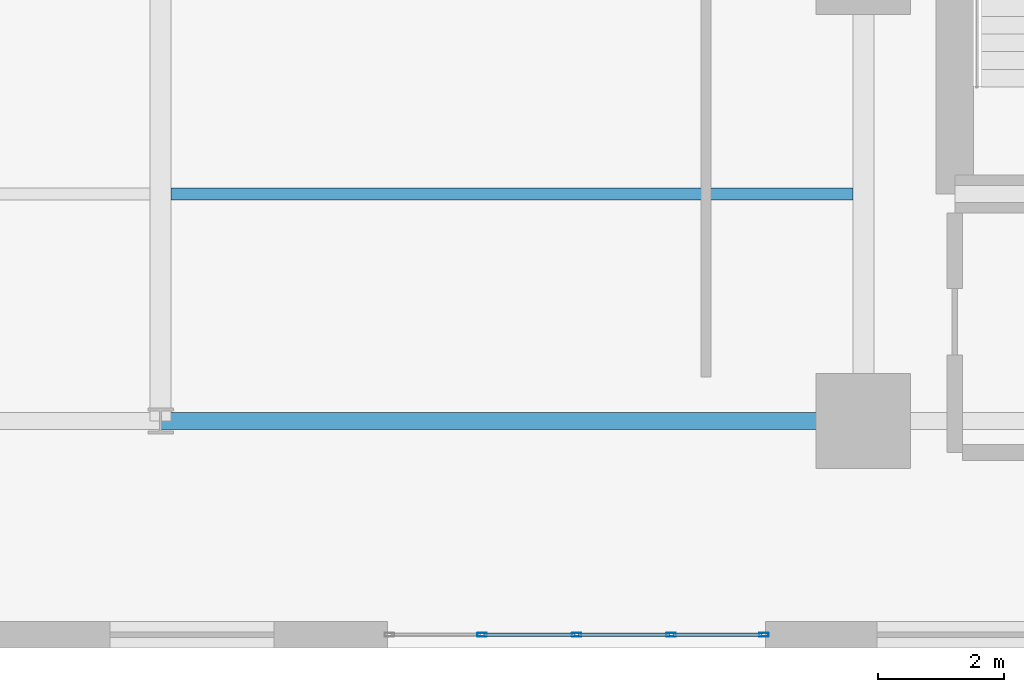
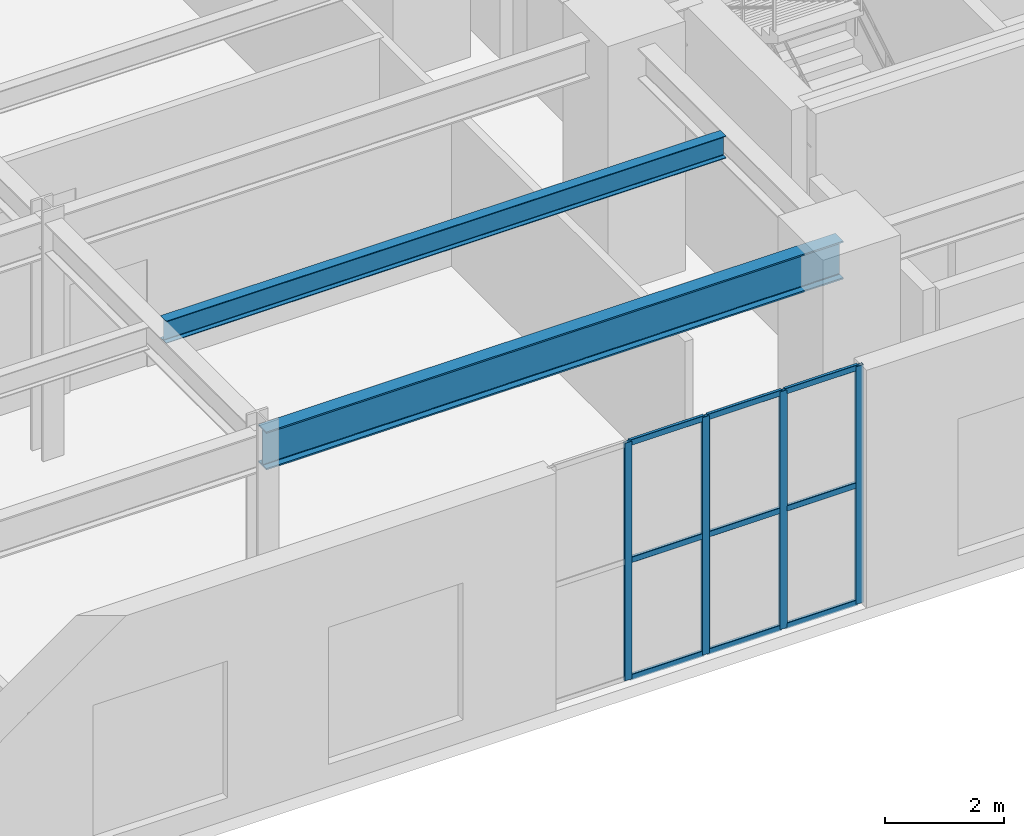
# One storey, part 10 of 23: 13 members, 2 beams, 1 element without a shape of its own.
"""IFC4 building model written with IfcOpenShell, lengths in metres."""

import ifcopenshell
import ifcopenshell.guid

model = None  # the IFC model being written
_history = None  # IfcOwnerHistory: only IFC2X3 demands one
_inside = {}  # id of a spatial element -> (the spatial element, [elements in it])
_under = {}  # id of a project, library or spatial element -> (it, [spatial elements below it])
_declared = {}  # id of a project -> (the project, [libraries it declares])
_typed = {}  # id of a type object -> (the type object, [elements of that type])
_made_of = {}  # id of a material, layer set ... -> (it, [elements and type objects made of it])


def new_model(schema):
    """Start an empty IFC model of exactly this schema.

    Asked for "IFC4X3", IfcOpenShell would pick the latest addendum, in which some entities
    have other attributes; the version numbers below select the first issue.
    IFC2X3 requires an IfcOwnerHistory on every rooted entity: one is made here for all.
    """
    global model, _history
    if schema == "IFC4X3":
        model = ifcopenshell.file(schema_version=(4, 3, 0, 0))
    else:
        model = ifcopenshell.file(schema=schema)
    _inside.clear()
    _under.clear()
    _declared.clear()
    _typed.clear()
    _made_of.clear()
    _history = None
    if model.schema == "IFC2X3":
        org = make("IfcOrganization", Name="unknown")
        user = make(
            "IfcPersonAndOrganization",
            ThePerson=make("IfcPerson", FamilyName="unknown"),
            TheOrganization=org,
        )
        app = make(
            "IfcApplication",
            ApplicationDeveloper=org,
            Version="unknown",
            ApplicationFullName="unknown",
            ApplicationIdentifier="unknown",
        )
        _history = make(
            "IfcOwnerHistory",
            OwningUser=user,
            OwningApplication=app,
            ChangeAction="ADDED",
            CreationDate=0,
        )
    return model


def make(cls, **values):
    """One entity of the class cls with the attributes given. An attribute that is None is left unset."""
    return model.create_entity(
        cls, **{name: value for name, value in values.items() if value is not None}
    )


def entity(cls, *values):
    """Any entity or typed value of the class cls, its attributes in the order of the schema. None: left unset."""
    e = model.create_entity(cls)
    for i, value in enumerate(values):
        if value is not None:
            e[i] = value
    return e


def rooted(cls, **values):
    """An entity with a GlobalId (a new one), such as an element, a storey or a relation."""
    return make(cls, GlobalId=ifcopenshell.guid.new(), OwnerHistory=_history, **values)


def si_unit(unit_type, name, prefix=None):
    """IfcSIUnit, for example si_unit("LENGTHUNIT", "METRE", prefix="MILLI")."""
    return make("IfcSIUnit", UnitType=unit_type, Prefix=prefix, Name=name)


def converted_unit(unit_type, name, factor, base, dimensions=None, offset=None):
    """IfcConversionBasedUnit, such as the inch: factor (a typed value) times the base unit."""
    return make(
        "IfcConversionBasedUnit"
        if offset is None
        else "IfcConversionBasedUnitWithOffset",
        ConversionOffset=offset,
        Dimensions=None
        if dimensions is None
        else entity("IfcDimensionalExponents", *dimensions),
        UnitType=unit_type,
        Name=name,
        ConversionFactor=make(
            "IfcMeasureWithUnit", ValueComponent=factor, UnitComponent=base
        ),
    )


def assignment(units):
    """IfcUnitAssignment: the units of a project."""
    return None if units is None else make("IfcUnitAssignment", Units=units)


def point(xyz):
    """IfcCartesianPoint."""
    return None if xyz is None else make("IfcCartesianPoint", Coordinates=xyz)


def direction(xyz):
    """IfcDirection."""
    return None if xyz is None else make("IfcDirection", DirectionRatios=xyz)


def frame(location, z_axis=None, x_axis=None):
    """IfcAxis2Placement3D, a coordinate frame: its origin and axes. An axis left out is left unset."""
    return make(
        "IfcAxis2Placement3D",
        Location=point(location),
        Axis=direction(z_axis),
        RefDirection=direction(x_axis),
    )


def frame_2d(location, x_axis=None):
    """IfcAxis2Placement2D, a coordinate frame in the plane: its origin and x axis."""
    return make(
        "IfcAxis2Placement2D", Location=point(location), RefDirection=direction(x_axis)
    )


def origin_with_axes():
    """The frame at (0, 0, 0) with the z axis (0, 0, 1) and the x axis (1, 0, 0) written out."""
    return frame((0.0, 0.0, 0.0), z_axis=(0.0, 0.0, 1.0), x_axis=(1.0, 0.0, 0.0))


def origin_2d_with_axis():
    """The frame at (0, 0) in the plane with the x axis (1, 0) written out."""
    return frame_2d((0.0, 0.0), x_axis=(1.0, 0.0))


def place(relative_to, where):
    """IfcLocalPlacement: puts the frame where relative to a parent placement (None: the world)."""
    return make(
        "IfcLocalPlacement", PlacementRelTo=relative_to, RelativePlacement=where
    )


def context(
    kind, dimensions, precision=None, world=None, true_north=None, identifier=None
):
    """IfcGeometricRepresentationContext, for example the 3D "Model" context."""
    return make(
        "IfcGeometricRepresentationContext",
        ContextIdentifier=identifier,
        ContextType=kind,
        CoordinateSpaceDimension=dimensions,
        Precision=precision,
        WorldCoordinateSystem=world,
        TrueNorth=true_north,
    )


def subcontext(parent, identifier, kind, view, scale=None):
    """IfcGeometricRepresentationSubContext, for example "Body" below "Model"."""
    return make(
        "IfcGeometricRepresentationSubContext",
        ContextIdentifier=identifier,
        ContextType=kind,
        ParentContext=parent,
        TargetScale=scale,
        TargetView=view,
    )


def project(units=None, contexts=None):
    """IfcProject with its units and contexts."""
    return rooted(
        "IfcProject",
        Name="project",
        RepresentationContexts=contexts,
        UnitsInContext=assignment(units),
    )


def spatial(cls, under=None, at=None, **own):
    """A site, building, storey or space (cls), placed at a placement, below another one or the project."""
    s = rooted(cls, ObjectPlacement=at, **own)
    if under is not None:
        _under.setdefault(under.id(), (under, []))[1].append(s)
    return s


def profile(cls, at=None, kind="AREA", **sizes):
    """A parametric profile (cls). Its sizes go by their IFC names, for example OverallWidth=200.0."""
    return make(cls, ProfileType=kind, Position=at, **sizes)


def hollow_rectangle(**sizes):
    """IfcRectangleHollowProfileDef."""
    return profile("IfcRectangleHollowProfileDef", **sizes)


def i_section(**sizes):
    """IfcIShapeProfileDef."""
    return profile("IfcIShapeProfileDef", **sizes)


def extrude(swept, where, along, depth):
    """IfcExtrudedAreaSolid: the profile swept, set in the frame where, extruded along a direction by depth."""
    return make(
        "IfcExtrudedAreaSolid",
        SweptArea=swept,
        Position=where,
        ExtrudedDirection=direction(along),
        Depth=depth,
    )


def shape(context_of_items, identifier, shape_type, items):
    """IfcShapeRepresentation: the items that make up one representation, for example the "Body"."""
    return make(
        "IfcShapeRepresentation",
        ContextOfItems=context_of_items,
        RepresentationIdentifier=identifier,
        RepresentationType=shape_type,
        Items=items,
    )


def material(Name=None, Category=None):
    """IfcMaterial."""
    return make("IfcMaterial", Name=Name, Category=Category)


def material_profile(
    of_material, cross_section, Name=None, Category=None, Priority=None
):
    """IfcMaterialProfile: a cross section and its material."""
    return make(
        "IfcMaterialProfile",
        Name=Name,
        Material=of_material,
        Profile=cross_section,
        Priority=Priority,
        Category=Category,
    )


def profile_set(profiles, Name=None, composite=None):
    """IfcMaterialProfileSet."""
    return make(
        "IfcMaterialProfileSet",
        Name=Name,
        MaterialProfiles=profiles,
        CompositeProfile=composite,
    )


def made_of(thing, what):
    """Note that an element or type object is made of a material, layer set ...; save() writes the relation."""
    if what is not None:
        _made_of.setdefault(what.id(), (what, []))[1].append(thing)
    return thing


def type_object(cls, material=None, **own):
    """A type object (cls), such as IfcWallType, which elements share."""
    return made_of(rooted(cls, **own), material)


def element(
    cls,
    number,
    at=None,
    inside=None,
    cuts=None,
    type_object=None,
    material=None,
    context=None,
    identifier="Body",
    shape_type=None,
    held_by="IfcProductDefinitionShape",
    body=None,
    shapes=None,
    **own,
):
    """One element of the class cls, such as IfcWall. Its Tag is "e" and its number.

    at: its placement. inside: the storey or other place that contains it. cuts: it is an
    opening in that element (IfcRelVoidsElement). A single representation is given by context,
    identifier, shape_type and body (its items); several are given by shapes. held_by: the class
    of the entity that holds the representations. save() writes the other relations.
    """
    e = rooted(cls, Tag="e%d" % number, ObjectPlacement=at, **own)
    if body is not None:
        shapes = [shape(context, identifier, shape_type, body)]
    if shapes is not None:
        e.Representation = make(held_by, Representations=shapes)
    if inside is not None:
        _inside.setdefault(inside.id(), (inside, []))[1].append(e)
    if cuts is not None:
        rooted(
            "IfcRelVoidsElement", RelatingBuildingElement=cuts, RelatedOpeningElement=e
        )
    if type_object is not None:
        _typed.setdefault(type_object.id(), (type_object, []))[1].append(e)
    return made_of(e, material)


def aggregate(whole, parts):
    """IfcRelAggregates: a whole, such as a stair, and the parts it consists of."""
    return rooted("IfcRelAggregates", RelatingObject=whole, RelatedObjects=parts)


def save(model, path):
    """Write the relations noted so far, then the file.

    IfcRelAggregates (storeys below a building ...), IfcRelContainedInSpatialStructure (elements
    in a storey), IfcRelDefinesByType, IfcRelAssociatesMaterial and IfcRelDeclares: one each for
    every whole, place, type object, material and project.
    """
    for whole, parts in _under.values():
        aggregate(whole, parts)
    for where, things in _inside.values():
        rooted(
            "IfcRelContainedInSpatialStructure",
            RelatedElements=things,
            RelatingStructure=where,
        )
    for kind, things in _typed.values():
        rooted("IfcRelDefinesByType", RelatedObjects=things, RelatingType=kind)
    for what, things in _made_of.values():
        rooted("IfcRelAssociatesMaterial", RelatedObjects=things, RelatingMaterial=what)
    for by, libraries in _declared.values():
        rooted("IfcRelDeclares", RelatingContext=by, RelatedDefinitions=libraries)
    model.write(path)


model = new_model("IFC4")

# Units and contexts
model_context = context("Model", 3, precision=1e-05, world=origin_with_axes(), true_north=direction((0.0, 1.0)))
body_context = subcontext(model_context, "Body", "Model", "MODEL_VIEW")
ifc_project = project(units=[si_unit("LENGTHUNIT", "METRE"), si_unit("AREAUNIT", "SQUARE_METRE"), si_unit("VOLUMEUNIT", "CUBIC_METRE"), converted_unit("PLANEANGLEUNIT", "DEGREE", entity("IfcPlaneAngleMeasure", 0.017453292519943295), si_unit("PLANEANGLEUNIT", "RADIAN"), dimensions=[0, 0, 0, 0, 0, 0, 0]), si_unit("MASSUNIT", "GRAM", prefix="KILO"), si_unit("THERMODYNAMICTEMPERATUREUNIT", "KELVIN")], contexts=[model_context])

# Site, building, storey
site_placement = place(None, origin_with_axes())
site = spatial("IfcSite", under=ifc_project, at=site_placement, CompositionType="ELEMENT")
building_placement = place(site_placement, origin_with_axes())
building = spatial("IfcBuilding", under=site, at=building_placement, Name="Varnlund Millrace Tower", CompositionType="ELEMENT")
storey_placement = place(building_placement, frame((0.0, 0.0, 5.7), z_axis=(0.0, 0.0, 1.0), x_axis=(1.0, 0.0, 0.0)))
storey = spatial("IfcBuildingStorey", under=building, at=storey_placement, Name="L01", CompositionType="ELEMENT", Elevation=5.7)

# Curtain wall, members
ifc_material_1 = material(Name="Thermally broken architectural bronze curtain wall", Category="aluminium")
curtain_wall_type = type_object("IfcCurtainWallType", Name="Type-CW-Sys2-Skyway", PredefinedType="NOTDEFINED", material=ifc_material_1)
curtain_wall_placement = place(storey_placement, frame((37.2, 0.21, 0.0), z_axis=(0.0, 0.0, 1.0), x_axis=(1.0, 0.0, 0.0)))
curtain_wall = element("IfcCurtainWall", 1, at=curtain_wall_placement, inside=storey, type_object=curtain_wall_type, Name="Type-CW-Sys2-Skyway", PredefinedType="NOTDEFINED")
ifc_material_2 = material(Name="Architectural bronze aluminium alloy 6063-T6", Category="aluminium")
ifc_material_profile_1 = material_profile(ifc_material_2, hollow_rectangle(XDim=0.06, YDim=0.15, WallThickness=0.004, InnerFilletRadius=0.004, OuterFilletRadius=0.008, at=origin_2d_with_axis()), Name="Architectural bronze aluminium alloy 6063-T6")
ifc_profile_set_1 = profile_set([ifc_material_profile_1], Name="Architectural bronze aluminium alloy 6063-T6")
member_type_1 = type_object("IfcMemberType", Name="Type-CW-Mullion-60X150", PredefinedType="MULLION", material=ifc_profile_set_1)
member_1_placement = place(storey_placement, frame((37.17, 0.21, 0.0), z_axis=(0.0, 0.0, 1.0), x_axis=(0.0, -1.0, 0.0)))
member_1 = element("IfcMember", 2, at=member_1_placement, type_object=member_type_1, Name="CW-02 mullion 1", PredefinedType="MULLION", context=body_context, shape_type="SweptSolid", body=[
    extrude(hollow_rectangle(XDim=0.06, YDim=0.15, WallThickness=0.004, InnerFilletRadius=0.004, OuterFilletRadius=0.008, at=origin_2d_with_axis()), origin_with_axes(), (0.0, 0.0, 1.0), 4.86),
])
member_2_placement = place(storey_placement, frame((35.7, 0.21, 0.0), z_axis=(0.0, 0.0, 1.0), x_axis=(0.0, -1.0, 0.0)))
member_2 = element("IfcMember", 3, at=member_2_placement, type_object=member_type_1, Name="CW-02 mullion 2", PredefinedType="MULLION", context=body_context, shape_type="SweptSolid", body=[
    extrude(hollow_rectangle(XDim=0.06, YDim=0.15, WallThickness=0.004, InnerFilletRadius=0.004, OuterFilletRadius=0.008, at=origin_2d_with_axis()), origin_with_axes(), (0.0, 0.0, 1.0), 4.86),
])
member_3_placement = place(storey_placement, frame((34.2, 0.21, 0.0), z_axis=(0.0, 0.0, 1.0), x_axis=(0.0, -1.0, 0.0)))
member_3 = element("IfcMember", 4, at=member_3_placement, type_object=member_type_1, Name="CW-02 mullion 3", PredefinedType="MULLION", context=body_context, shape_type="SweptSolid", body=[
    extrude(hollow_rectangle(XDim=0.06, YDim=0.15, WallThickness=0.004, InnerFilletRadius=0.004, OuterFilletRadius=0.008, at=origin_2d_with_axis()), origin_with_axes(), (0.0, 0.0, 1.0), 4.86),
])
member_4_placement = place(storey_placement, frame((32.7, 0.21, 0.0), z_axis=(0.0, 0.0, 1.0), x_axis=(0.0, -1.0, 0.0)))
member_4 = element("IfcMember", 5, at=member_4_placement, type_object=member_type_1, Name="CW-02 mullion 4", PredefinedType="MULLION", context=body_context, shape_type="SweptSolid", body=[
    extrude(hollow_rectangle(XDim=0.06, YDim=0.15, WallThickness=0.004, InnerFilletRadius=0.004, OuterFilletRadius=0.008, at=origin_2d_with_axis()), origin_with_axes(), (0.0, 0.0, 1.0), 4.86),
])
ifc_material_profile_2 = material_profile(ifc_material_2, hollow_rectangle(XDim=0.06, YDim=0.12, WallThickness=0.004, InnerFilletRadius=0.004, OuterFilletRadius=0.008, at=origin_2d_with_axis()), Name="Architectural bronze aluminium alloy 6063-T6")
ifc_profile_set_2 = profile_set([ifc_material_profile_2], Name="Architectural bronze aluminium alloy 6063-T6")
member_type_2 = type_object("IfcMemberType", Name="Type-CW-Transom-60X120", PredefinedType="USERDEFINED", material=ifc_profile_set_2)
member_5_placement = place(storey_placement, frame((37.14, 0.21, 0.03), z_axis=(-1.0, 0.0, 0.0), x_axis=(0.0, -1.0, 0.0)))
member_5 = element("IfcMember", 6, at=member_5_placement, type_object=member_type_2, Name="CW-02 transom 1.1", ObjectType="TRANSOM", PredefinedType="USERDEFINED", context=body_context, shape_type="SweptSolid", body=[
    extrude(hollow_rectangle(XDim=0.06, YDim=0.12, WallThickness=0.004, InnerFilletRadius=0.004, OuterFilletRadius=0.008, at=origin_2d_with_axis()), origin_with_axes(), (0.0, 0.0, 1.0), 1.41),
])
member_6_placement = place(storey_placement, frame((37.14, 0.21, 2.43), z_axis=(-1.0, 0.0, 0.0), x_axis=(0.0, -1.0, 0.0)))
member_6 = element("IfcMember", 7, at=member_6_placement, type_object=member_type_2, Name="CW-02 transom 1.2", ObjectType="TRANSOM", PredefinedType="USERDEFINED", context=body_context, shape_type="SweptSolid", body=[
    extrude(hollow_rectangle(XDim=0.06, YDim=0.12, WallThickness=0.004, InnerFilletRadius=0.004, OuterFilletRadius=0.008, at=origin_2d_with_axis()), origin_with_axes(), (0.0, 0.0, 1.0), 1.41),
])
member_7_placement = place(storey_placement, frame((37.14, 0.21, 4.83), z_axis=(-1.0, 0.0, 0.0), x_axis=(0.0, -1.0, 0.0)))
member_7 = element("IfcMember", 8, at=member_7_placement, type_object=member_type_2, Name="CW-02 transom 1.3", ObjectType="TRANSOM", PredefinedType="USERDEFINED", context=body_context, shape_type="SweptSolid", body=[
    extrude(hollow_rectangle(XDim=0.06, YDim=0.12, WallThickness=0.004, InnerFilletRadius=0.004, OuterFilletRadius=0.008, at=origin_2d_with_axis()), origin_with_axes(), (0.0, 0.0, 1.0), 1.41),
])
member_8_placement = place(storey_placement, frame((35.67, 0.21, 0.03), z_axis=(-1.0, 0.0, 0.0), x_axis=(0.0, -1.0, 0.0)))
member_8 = element("IfcMember", 9, at=member_8_placement, type_object=member_type_2, Name="CW-02 transom 2.1", ObjectType="TRANSOM", PredefinedType="USERDEFINED", context=body_context, shape_type="SweptSolid", body=[
    extrude(hollow_rectangle(XDim=0.06, YDim=0.12, WallThickness=0.004, InnerFilletRadius=0.004, OuterFilletRadius=0.008, at=origin_2d_with_axis()), origin_with_axes(), (0.0, 0.0, 1.0), 1.44),
])
member_9_placement = place(storey_placement, frame((35.67, 0.21, 2.43), z_axis=(-1.0, 0.0, 0.0), x_axis=(0.0, -1.0, 0.0)))
member_9 = element("IfcMember", 10, at=member_9_placement, type_object=member_type_2, Name="CW-02 transom 2.2", ObjectType="TRANSOM", PredefinedType="USERDEFINED", context=body_context, shape_type="SweptSolid", body=[
    extrude(hollow_rectangle(XDim=0.06, YDim=0.12, WallThickness=0.004, InnerFilletRadius=0.004, OuterFilletRadius=0.008, at=origin_2d_with_axis()), origin_with_axes(), (0.0, 0.0, 1.0), 1.44),
])
member_10_placement = place(storey_placement, frame((35.67, 0.21, 4.83), z_axis=(-1.0, 0.0, 0.0), x_axis=(0.0, -1.0, 0.0)))
member_10 = element("IfcMember", 11, at=member_10_placement, type_object=member_type_2, Name="CW-02 transom 2.3", ObjectType="TRANSOM", PredefinedType="USERDEFINED", context=body_context, shape_type="SweptSolid", body=[
    extrude(hollow_rectangle(XDim=0.06, YDim=0.12, WallThickness=0.004, InnerFilletRadius=0.004, OuterFilletRadius=0.008, at=origin_2d_with_axis()), origin_with_axes(), (0.0, 0.0, 1.0), 1.44),
])
member_11_placement = place(storey_placement, frame((34.17, 0.21, 0.03), z_axis=(-1.0, 0.0, 0.0), x_axis=(0.0, -1.0, 0.0)))
member_11 = element("IfcMember", 12, at=member_11_placement, type_object=member_type_2, Name="CW-02 transom 3.1", ObjectType="TRANSOM", PredefinedType="USERDEFINED", context=body_context, shape_type="SweptSolid", body=[
    extrude(hollow_rectangle(XDim=0.06, YDim=0.12, WallThickness=0.004, InnerFilletRadius=0.004, OuterFilletRadius=0.008, at=origin_2d_with_axis()), origin_with_axes(), (0.0, 0.0, 1.0), 1.44),
])
member_12_placement = place(storey_placement, frame((34.17, 0.21, 2.43), z_axis=(-1.0, 0.0, 0.0), x_axis=(0.0, -1.0, 0.0)))
member_12 = element("IfcMember", 13, at=member_12_placement, type_object=member_type_2, Name="CW-02 transom 3.2", ObjectType="TRANSOM", PredefinedType="USERDEFINED", context=body_context, shape_type="SweptSolid", body=[
    extrude(hollow_rectangle(XDim=0.06, YDim=0.12, WallThickness=0.004, InnerFilletRadius=0.004, OuterFilletRadius=0.008, at=origin_2d_with_axis()), origin_with_axes(), (0.0, 0.0, 1.0), 1.44),
])
member_13_placement = place(storey_placement, frame((34.17, 0.21, 4.83), z_axis=(-1.0, 0.0, 0.0), x_axis=(0.0, -1.0, 0.0)))
member_13 = element("IfcMember", 14, at=member_13_placement, type_object=member_type_2, Name="CW-02 transom 3.3", ObjectType="TRANSOM", PredefinedType="USERDEFINED", context=body_context, shape_type="SweptSolid", body=[
    extrude(hollow_rectangle(XDim=0.06, YDim=0.12, WallThickness=0.004, InnerFilletRadius=0.004, OuterFilletRadius=0.008, at=origin_2d_with_axis()), origin_with_axes(), (0.0, 0.0, 1.0), 1.44),
])
aggregate(curtain_wall, [member_1, member_2, member_3, member_4, member_5, member_6, member_7, member_8, member_9, member_10, member_11, member_12, member_13])

# Beams
ifc_material_3 = material(Name="Steel ASTM A992 Grade 50", Category="steel")
ifc_material_profile_3 = material_profile(ifc_material_3, i_section(OverallWidth=0.266, OverallDepth=0.779, WebThickness=0.0165, FlangeThickness=0.03, FilletRadius=0.02, at=origin_2d_with_axis()), Name="Steel ASTM A992 Grade 50")
ifc_profile_set_3 = profile_set([ifc_material_profile_3], Name="Steel ASTM A992 Grade 50")
beam_type_1 = type_object("IfcBeamType", Name="Type-Girder-W30X148", PredefinedType="USERDEFINED", material=ifc_profile_set_3)
beam_1_placement = place(storey_placement, frame((27.6, 3.6, 4.4705), z_axis=(1.0, 0.0, 0.0), x_axis=(0.0, 1.0, 0.0)))
element("IfcBeam", 15, at=beam_1_placement, inside=storey, type_object=beam_type_1, Name="Type-Girder-W30X148", ObjectType="GIRDER", PredefinedType="USERDEFINED", context=body_context, shape_type="SweptSolid", body=[
    extrude(i_section(OverallWidth=0.266, OverallDepth=0.779, WebThickness=0.0165, FlangeThickness=0.03, FilletRadius=0.02, at=origin_2d_with_axis()), origin_with_axes(), (0.0, 0.0, 1.0), 11.15),
])
ifc_material_profile_4 = material_profile(ifc_material_3, i_section(OverallWidth=0.191, OverallDepth=0.457, WebThickness=0.009, FlangeThickness=0.0145, FilletRadius=0.013, at=origin_2d_with_axis()), Name="Steel ASTM A992 Grade 50")
ifc_profile_set_4 = profile_set([ifc_material_profile_4], Name="Steel ASTM A992 Grade 50")
beam_type_2 = type_object("IfcBeamType", Name="Type-Joist-W18X50", PredefinedType="JOIST", material=ifc_profile_set_4)
beam_2_placement = place(storey_placement, frame((27.764, 7.2, 4.6315), z_axis=(1.0, 0.0, 0.0), x_axis=(0.0, 1.0, 0.0)))
element("IfcBeam", 16, at=beam_2_placement, inside=storey, type_object=beam_type_2, Name="Type-Joist-W18X50", PredefinedType="JOIST", context=body_context, shape_type="SweptSolid", body=[
    extrude(i_section(OverallWidth=0.191, OverallDepth=0.457, WebThickness=0.009, FlangeThickness=0.0145, FilletRadius=0.013, at=origin_2d_with_axis()), origin_with_axes(), (0.0, 0.0, 1.0), 10.822),
])

save(model, "model.ifc")
